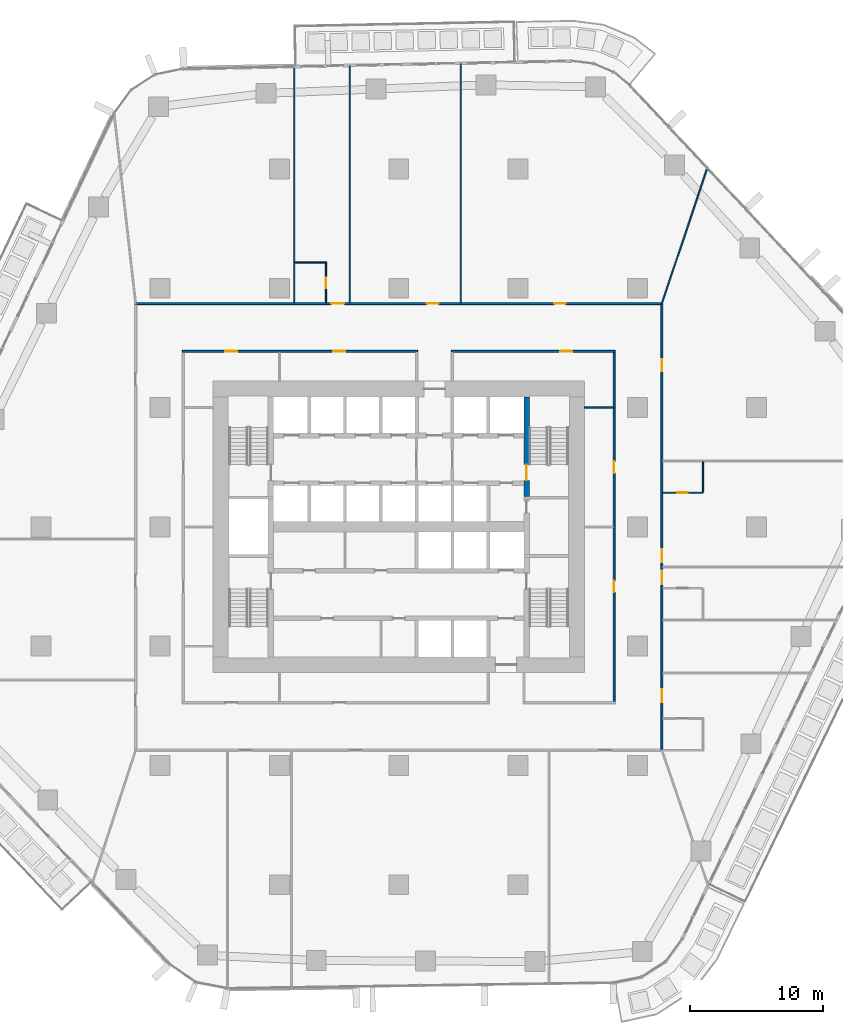
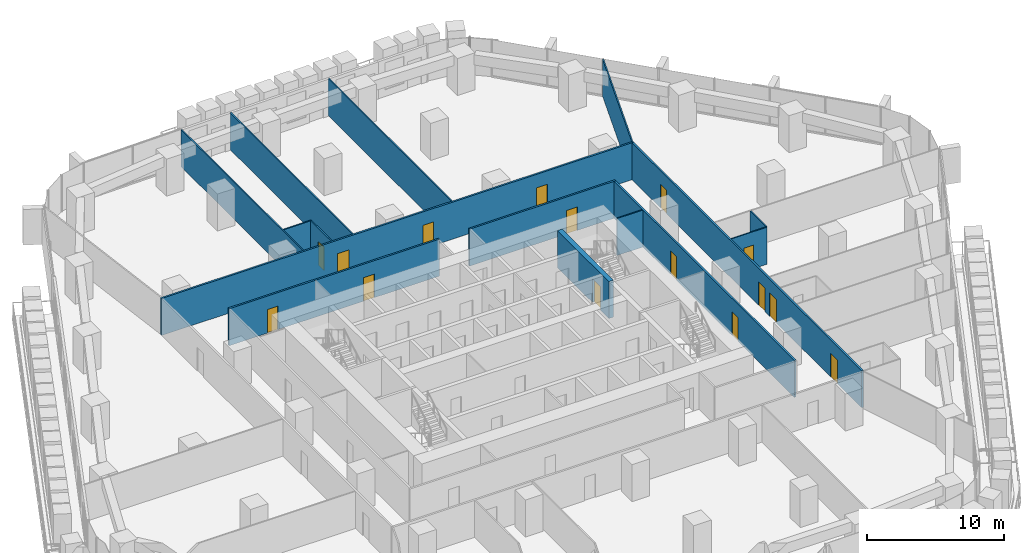
# One storey, part 15 of 24: 15 doors, 15 walls, 15 openings.
"""IFC4 building model written with IfcOpenShell, lengths in metres."""

from ifc_helpers import new_model, si_unit, direction, frame, frame_2d, origin, place, context, subcontext, project, spatial, rectangle, extrude, material, layer, layer_set, type_object, element, fill, save


model = new_model("IFC4")

# Units and contexts
model_context = context("Model", 3, precision=1e-05, world=origin(), true_north=direction((0.0, 1.0)))
body_context = subcontext(model_context, "Body", "Model", "MODEL_VIEW")
ifc_project = project(units=[si_unit("LENGTHUNIT", "METRE"), si_unit("AREAUNIT", "SQUARE_METRE"), si_unit("VOLUMEUNIT", "CUBIC_METRE"), si_unit("PLANEANGLEUNIT", "RADIAN"), si_unit("MASSUNIT", "GRAM", prefix="KILO")], contexts=[model_context])

# Site, building, storey
site_placement = place(None, origin())
site = spatial("IfcSite", under=ifc_project, at=site_placement, CompositionType="ELEMENT")
building_placement = place(site_placement, origin())
building = spatial("IfcBuilding", under=site, at=building_placement, Name="Dongbaek Canopy Tower", CompositionType="ELEMENT")
storey_placement = place(building_placement, frame((0.0, 0.0, 47.699951171875)))
storey = spatial("IfcBuildingStorey", under=building, at=storey_placement, Name="L07", CompositionType="ELEMENT", Elevation=47.699951171875)

# Wall, openings, doors
ifc_material_1 = material(Name="Gypsum board partition, steel stud, 2 x 15 mm fire board", Category="steel")
ifc_layer_1 = layer(ifc_material_1, 0.14990234375)
ifc_layer_set_1 = layer_set([ifc_layer_1], Name="Fire-rated partition 150 gypsum board")
wall_type_1 = type_object("IfcWallType", Name="Fire-rated partition 150 gypsum board", PredefinedType="PARTITIONING", material=ifc_layer_set_1)
wall_1_placement = place(storey_placement, frame((1.425048828125, 13.25, 0.0), z_axis=(0.0, 0.0, 1.0), x_axis=(-1.0, 0.0, 0.0)))
wall_1 = element("IfcWall", 1, at=wall_1_placement, inside=storey, type_object=wall_type_1, Name="Corridor partition", PredefinedType="PARTITIONING", context=body_context, shape_type="SweptSolid", body=[
    extrude(rectangle(XDim=17.75, YDim=0.14990234375, at=frame_2d((8.875, 0.0))), origin(), (0.0, 0.0, 1.0), 3.300048828125),
])
opening_1_placement = place(wall_1_placement, frame((5.47509765625, 0.0, 0.0)))
opening_1 = element("IfcOpeningElement", 2, at=opening_1_placement, cuts=wall_1, Name="Opening L07-D024", PredefinedType="OPENING", context=body_context, shape_type="SweptSolid", body=[
    extrude(rectangle(XDim=0.89990234375, YDim=2.10009765625, at=frame_2d((0.449951171875, 1.050048828125))), frame((0.0, 0.0849609375, 0.0), z_axis=(0.0, -1.0, 0.0), x_axis=(1.0, 0.0, 0.0)), (0.0, 0.0, 1.0), 0.169921875),
])
opening_2_placement = place(wall_1_placement, frame((13.60009765625, 0.0, 0.0)))
opening_2 = element("IfcOpeningElement", 3, at=opening_2_placement, cuts=wall_1, Name="Opening L07-D025", PredefinedType="OPENING", context=body_context, shape_type="SweptSolid", body=[
    extrude(rectangle(XDim=0.89990234375, YDim=2.10009765625, at=frame_2d((0.449951171875, 1.050048828125))), frame((0.0, 0.0849609375, 0.0), z_axis=(0.0, -1.0, 0.0), x_axis=(1.0, 0.0, 0.0)), (0.0, 0.0, 1.0), 0.169921875),
])
ifc_material_2 = material(Name="Timber veneered door leaf", Category="wood")
door_type_1 = type_object("IfcDoorType", Name="Room door 900 x 2100", OperationType="SINGLE_SWING_LEFT", PredefinedType="DOOR", material=ifc_material_2)
door_1_placement = place(opening_1_placement, origin())
door_1 = element("IfcDoor", 4, at=door_1_placement, inside=storey, type_object=door_type_1, Name="Door L07-D024", OperationType="SINGLE_SWING_RIGHT", OverallHeight=2.10009765625, OverallWidth=0.89990234375, PredefinedType="DOOR", context=body_context, shape_type="SweptSolid", body=[
    extrude(rectangle(XDim=0.89990234375, YDim=2.10009765625, at=frame_2d((0.449951171875, 1.050048828125))), frame((0.0, 0.02490234375, 0.0), z_axis=(0.0, -1.0, 0.0), x_axis=(1.0, 0.0, 0.0)), (0.0, 0.0, 1.0), 0.050048828125),
])
fill(opening_1, door_1)
door_2_placement = place(opening_2_placement, origin())
door_2 = element("IfcDoor", 5, at=door_2_placement, inside=storey, type_object=door_type_1, Name="Door L07-D025", OperationType="SINGLE_SWING_LEFT", OverallHeight=2.10009765625, OverallWidth=0.89990234375, PredefinedType="DOOR", context=body_context, shape_type="SweptSolid", body=[
    extrude(rectangle(XDim=0.89990234375, YDim=2.10009765625, at=frame_2d((0.449951171875, 1.050048828125))), frame((0.0, 0.02490234375, 0.0), z_axis=(0.0, -1.0, 0.0), x_axis=(1.0, 0.0, 0.0)), (0.0, 0.0, 1.0), 0.050048828125),
])
fill(opening_2, door_2)

# Wall, opening, door
wall_2_placement = place(storey_placement, frame((16.324951171875, 13.25, 0.0), z_axis=(0.0, 0.0, 1.0), x_axis=(-1.0, 0.0, 0.0)))
wall_2 = element("IfcWall", 6, at=wall_2_placement, inside=storey, type_object=wall_type_1, Name="Corridor partition", PredefinedType="PARTITIONING", context=body_context, shape_type="SweptSolid", body=[
    extrude(rectangle(XDim=12.349853515625, YDim=0.14990234375, at=frame_2d((6.1748046875, 0.0))), origin(), (0.0, 0.0, 1.0), 3.300048828125),
])
opening_3_placement = place(wall_2_placement, frame((3.25, 0.0, 0.0)))
opening_3 = element("IfcOpeningElement", 7, at=opening_3_placement, cuts=wall_2, Name="Opening L07-D023", PredefinedType="OPENING", context=body_context, shape_type="SweptSolid", body=[
    extrude(rectangle(XDim=0.89990234375, YDim=2.10009765625, at=frame_2d((0.449951171875, 1.050048828125))), frame((0.0, 0.0849609375, 0.0), z_axis=(0.0, -1.0, 0.0), x_axis=(1.0, 0.0, 0.0)), (0.0, 0.0, 1.0), 0.169921875),
])
door_3_placement = place(opening_3_placement, origin())
door_3 = element("IfcDoor", 8, at=door_3_placement, inside=storey, type_object=door_type_1, Name="Door L07-D023", OperationType="SINGLE_SWING_LEFT", OverallHeight=2.10009765625, OverallWidth=0.89990234375, PredefinedType="DOOR", context=body_context, shape_type="SweptSolid", body=[
    extrude(rectangle(XDim=0.89990234375, YDim=2.10009765625, at=frame_2d((0.449951171875, 1.050048828125))), frame((0.0, 0.02490234375, 0.0), z_axis=(0.0, -1.0, 0.0), x_axis=(1.0, 0.0, 0.0)), (0.0, 0.0, 1.0), 0.050048828125),
])
fill(opening_3, door_3)

# Wall, openings, doors
wall_3_placement = place(storey_placement, frame((-19.925048828125, 16.85009765625, 0.0), z_axis=(0.0, 0.0, 1.0), x_axis=(1.0, 0.0, 0.0)))
wall_3 = element("IfcWall", 9, at=wall_3_placement, inside=storey, type_object=wall_type_1, Name="Corridor partition", PredefinedType="PARTITIONING", context=body_context, shape_type="SweptSolid", body=[
    extrude(rectangle(XDim=39.85009765625, YDim=0.14990234375, at=frame_2d((19.925048828125, 0.0))), origin(), (0.0, 0.0, 1.0), 3.300048828125),
])
opening_4_placement = place(wall_3_placement, frame((31.642822265625, 0.0, 0.0)))
opening_4 = element("IfcOpeningElement", 10, at=opening_4_placement, cuts=wall_3, Name="Opening L07-D013", PredefinedType="OPENING", context=body_context, shape_type="SweptSolid", body=[
    extrude(rectangle(XDim=0.89990234375, YDim=2.10009765625, at=frame_2d((0.449951171875, 1.050048828125))), frame((0.0, 0.0849609375, 0.0), z_axis=(0.0, -1.0, 0.0), x_axis=(1.0, 0.0, 0.0)), (0.0, 0.0, 1.0), 0.169921875),
])
opening_5_placement = place(wall_3_placement, frame((22.0556640625, 0.0, 0.0)))
opening_5 = element("IfcOpeningElement", 11, at=opening_5_placement, cuts=wall_3, Name="Opening L07-D014", PredefinedType="OPENING", context=body_context, shape_type="SweptSolid", body=[
    extrude(rectangle(XDim=0.89990234375, YDim=2.10009765625, at=frame_2d((0.449951171875, 1.050048828125))), frame((0.0, 0.0849609375, 0.0), z_axis=(0.0, -1.0, 0.0), x_axis=(1.0, 0.0, 0.0)), (0.0, 0.0, 1.0), 0.169921875),
])
opening_6_placement = place(wall_3_placement, frame((14.8310546875, 0.0, 0.0)))
opening_6 = element("IfcOpeningElement", 12, at=opening_6_placement, cuts=wall_3, Name="Opening L07-D016", PredefinedType="OPENING", context=body_context, shape_type="SweptSolid", body=[
    extrude(rectangle(XDim=1.0, YDim=2.10009765625, at=frame_2d((0.5, 1.050048828125))), frame((0.0, 0.0849609375, 0.0), z_axis=(0.0, -1.0, 0.0), x_axis=(1.0, 0.0, 0.0)), (0.0, 0.0, 1.0), 0.169921875),
])
ifc_material_3 = material(Name="Timber veneered door leaf", Category="wood")
door_type_2 = type_object("IfcDoorType", Name="Guest room door 1000 x 2100", OperationType="SINGLE_SWING_LEFT", PredefinedType="DOOR", material=ifc_material_3)
door_4_placement = place(opening_6_placement, origin())
door_4 = element("IfcDoor", 13, at=door_4_placement, inside=storey, type_object=door_type_2, Name="Door L07-D016", OperationType="SINGLE_SWING_LEFT", OverallHeight=2.10009765625, OverallWidth=1.0, PredefinedType="DOOR", context=body_context, shape_type="SweptSolid", body=[
    extrude(rectangle(XDim=1.0, YDim=2.10009765625, at=frame_2d((0.5, 1.050048828125))), frame((0.0, 0.02490234375, 0.0), z_axis=(0.0, -1.0, 0.0), x_axis=(1.0, 0.0, 0.0)), (0.0, 0.0, 1.0), 0.050048828125),
])
fill(opening_6, door_4)
door_5_placement = place(opening_4_placement, origin())
door_5 = element("IfcDoor", 14, at=door_5_placement, inside=storey, type_object=door_type_1, Name="Door L07-D013", OperationType="SINGLE_SWING_LEFT", OverallHeight=2.10009765625, OverallWidth=0.89990234375, PredefinedType="DOOR", context=body_context, shape_type="SweptSolid", body=[
    extrude(rectangle(XDim=0.89990234375, YDim=2.10009765625, at=frame_2d((0.449951171875, 1.050048828125))), frame((0.0, 0.02490234375, 0.0), z_axis=(0.0, -1.0, 0.0), x_axis=(1.0, 0.0, 0.0)), (0.0, 0.0, 1.0), 0.050048828125),
])
fill(opening_4, door_5)
door_6_placement = place(opening_5_placement, origin())
door_6 = element("IfcDoor", 15, at=door_6_placement, inside=storey, type_object=door_type_1, Name="Door L07-D014", OperationType="SINGLE_SWING_RIGHT", OverallHeight=2.10009765625, OverallWidth=0.89990234375, PredefinedType="DOOR", context=body_context, shape_type="SweptSolid", body=[
    extrude(rectangle(XDim=0.89990234375, YDim=2.10009765625, at=frame_2d((0.449951171875, 1.050048828125))), frame((0.0, 0.02490234375, 0.0), z_axis=(0.0, -1.0, 0.0), x_axis=(1.0, 0.0, 0.0)), (0.0, 0.0, 1.0), 0.050048828125),
])
fill(opening_5, door_6)

wall_4_placement = place(storey_placement, frame((19.85009765625, 16.77490234375, 0.0), z_axis=(0.0, 0.0, 1.0), x_axis=(0.0, -1.0, 0.0)))
wall_4 = element("IfcWall", 16, at=wall_4_placement, inside=storey, type_object=wall_type_1, Name="Corridor partition", PredefinedType="PARTITIONING", context=body_context, shape_type="SweptSolid", body=[
    extrude(rectangle(XDim=33.5498046875, YDim=0.14990234375, at=frame_2d((16.77490234375, 0.0))), origin(), (0.0, 0.0, 1.0), 3.300048828125),
])
opening_7_placement = place(wall_4_placement, frame((29.01611328125, 0.0, 0.0)))
opening_7 = element("IfcOpeningElement", 17, at=opening_7_placement, cuts=wall_4, Name="Opening L07-D007", PredefinedType="OPENING", context=body_context, shape_type="SweptSolid", body=[
    extrude(rectangle(XDim=1.0, YDim=2.10009765625, at=frame_2d((0.5, 1.050048828125))), frame((0.0, 0.0849609375, 0.0), z_axis=(0.0, -1.0, 0.0), x_axis=(1.0, 0.0, 0.0)), (0.0, 0.0, 1.0), 0.169921875),
])
opening_8_placement = place(wall_4_placement, frame((20.100341796875, 0.0, 0.0)))
opening_8 = element("IfcOpeningElement", 18, at=opening_8_placement, cuts=wall_4, Name="Opening L07-D009", PredefinedType="OPENING", context=body_context, shape_type="SweptSolid", body=[
    extrude(rectangle(XDim=1.0, YDim=2.10009765625, at=frame_2d((0.5, 1.050048828125))), frame((0.0, 0.0849609375, 0.0), z_axis=(0.0, -1.0, 0.0), x_axis=(1.0, 0.0, 0.0)), (0.0, 0.0, 1.0), 0.169921875),
])
opening_9_placement = place(wall_4_placement, frame((18.445556640625, 0.0, 0.0)))
opening_9 = element("IfcOpeningElement", 19, at=opening_9_placement, cuts=wall_4, Name="Opening L07-D011", PredefinedType="OPENING", context=body_context, shape_type="SweptSolid", body=[
    extrude(rectangle(XDim=1.0, YDim=2.10009765625, at=frame_2d((0.5, 1.050048828125))), frame((0.0, 0.0849609375, 0.0), z_axis=(0.0, -1.0, 0.0), x_axis=(1.0, 0.0, 0.0)), (0.0, 0.0, 1.0), 0.169921875),
])
opening_10_placement = place(wall_4_placement, frame((4.142822265625, 0.0, 0.0)))
opening_10 = element("IfcOpeningElement", 20, at=opening_10_placement, cuts=wall_4, Name="Opening L07-D012", PredefinedType="OPENING", context=body_context, shape_type="SweptSolid", body=[
    extrude(rectangle(XDim=0.89990234375, YDim=2.10009765625, at=frame_2d((0.449951171875, 1.050048828125))), frame((0.0, 0.0849609375, 0.0), z_axis=(0.0, -1.0, 0.0), x_axis=(1.0, 0.0, 0.0)), (0.0, 0.0, 1.0), 0.169921875),
])
door_7_placement = place(opening_7_placement, origin())
door_7 = element("IfcDoor", 21, at=door_7_placement, inside=storey, type_object=door_type_2, Name="Door L07-D007", OperationType="SINGLE_SWING_RIGHT", OverallHeight=2.10009765625, OverallWidth=1.0, PredefinedType="DOOR", context=body_context, shape_type="SweptSolid", body=[
    extrude(rectangle(XDim=1.0, YDim=2.10009765625, at=frame_2d((0.5, 1.050048828125))), frame((0.0, 0.02490234375, 0.0), z_axis=(0.0, -1.0, 0.0), x_axis=(1.0, 0.0, 0.0)), (0.0, 0.0, 1.0), 0.050048828125),
])
fill(opening_7, door_7)
door_8_placement = place(opening_8_placement, origin())
door_8 = element("IfcDoor", 22, at=door_8_placement, inside=storey, type_object=door_type_2, Name="Door L07-D009", OperationType="SINGLE_SWING_RIGHT", OverallHeight=2.10009765625, OverallWidth=1.0, PredefinedType="DOOR", context=body_context, shape_type="SweptSolid", body=[
    extrude(rectangle(XDim=1.0, YDim=2.10009765625, at=frame_2d((0.5, 1.050048828125))), frame((0.0, 0.02490234375, 0.0), z_axis=(0.0, -1.0, 0.0), x_axis=(1.0, 0.0, 0.0)), (0.0, 0.0, 1.0), 0.050048828125),
])
fill(opening_8, door_8)
door_9_placement = place(opening_9_placement, origin())
door_9 = element("IfcDoor", 23, at=door_9_placement, inside=storey, type_object=door_type_2, Name="Door L07-D011", OperationType="SINGLE_SWING_LEFT", OverallHeight=2.10009765625, OverallWidth=1.0, PredefinedType="DOOR", context=body_context, shape_type="SweptSolid", body=[
    extrude(rectangle(XDim=1.0, YDim=2.10009765625, at=frame_2d((0.5, 1.050048828125))), frame((0.0, 0.02490234375, 0.0), z_axis=(0.0, -1.0, 0.0), x_axis=(1.0, 0.0, 0.0)), (0.0, 0.0, 1.0), 0.050048828125),
])
fill(opening_9, door_9)
door_10_placement = place(opening_10_placement, origin())
door_10 = element("IfcDoor", 24, at=door_10_placement, inside=storey, type_object=door_type_1, Name="Door L07-D012", OperationType="SINGLE_SWING_RIGHT", OverallHeight=2.10009765625, OverallWidth=0.89990234375, PredefinedType="DOOR", context=body_context, shape_type="SweptSolid", body=[
    extrude(rectangle(XDim=0.89990234375, YDim=2.10009765625, at=frame_2d((0.449951171875, 1.050048828125))), frame((0.0, 0.02490234375, 0.0), z_axis=(0.0, -1.0, 0.0), x_axis=(1.0, 0.0, 0.0)), (0.0, 0.0, 1.0), 0.050048828125),
])
fill(opening_10, door_10)

wall_5_placement = place(storey_placement, frame((16.25, -13.175048828125, 0.0), z_axis=(0.0, 0.0, 1.0), x_axis=(0.0, 1.0, 0.0)))
wall_5 = element("IfcWall", 25, at=wall_5_placement, inside=storey, type_object=wall_type_1, Name="Corridor partition", PredefinedType="PARTITIONING", context=body_context, shape_type="SweptSolid", body=[
    extrude(rectangle(XDim=26.35009765625, YDim=0.14990234375, at=frame_2d((13.175048828125, 0.0))), origin(), (0.0, 0.0, 1.0), 3.300048828125),
])
opening_11_placement = place(wall_5_placement, frame((8.22509765625, 0.0, 0.0)))
opening_11 = element("IfcOpeningElement", 26, at=opening_11_placement, cuts=wall_5, Name="Opening L07-D021", PredefinedType="OPENING", context=body_context, shape_type="SweptSolid", body=[
    extrude(rectangle(XDim=0.89990234375, YDim=2.10009765625, at=frame_2d((0.449951171875, 1.050048828125))), frame((0.0, 0.0849609375, 0.0), z_axis=(0.0, -1.0, 0.0), x_axis=(1.0, 0.0, 0.0)), (0.0, 0.0, 1.0), 0.169921875),
])
opening_12_placement = place(wall_5_placement, frame((17.22509765625, 0.0, 0.0)))
opening_12 = element("IfcOpeningElement", 27, at=opening_12_placement, cuts=wall_5, Name="Opening L07-D022", PredefinedType="OPENING", context=body_context, shape_type="SweptSolid", body=[
    extrude(rectangle(XDim=0.89990234375, YDim=2.10009765625, at=frame_2d((0.449951171875, 1.050048828125))), frame((0.0, 0.0849609375, 0.0), z_axis=(0.0, -1.0, 0.0), x_axis=(1.0, 0.0, 0.0)), (0.0, 0.0, 1.0), 0.169921875),
])
door_11_placement = place(opening_11_placement, origin())
door_11 = element("IfcDoor", 28, at=door_11_placement, inside=storey, type_object=door_type_1, Name="Door L07-D021", OperationType="SINGLE_SWING_LEFT", OverallHeight=2.10009765625, OverallWidth=0.89990234375, PredefinedType="DOOR", context=body_context, shape_type="SweptSolid", body=[
    extrude(rectangle(XDim=0.89990234375, YDim=2.10009765625, at=frame_2d((0.449951171875, 1.050048828125))), frame((0.0, 0.02490234375, 0.0), z_axis=(0.0, -1.0, 0.0), x_axis=(1.0, 0.0, 0.0)), (0.0, 0.0, 1.0), 0.050048828125),
])
fill(opening_11, door_11)
door_12_placement = place(opening_12_placement, origin())
door_12 = element("IfcDoor", 29, at=door_12_placement, inside=storey, type_object=door_type_1, Name="Door L07-D022", OperationType="SINGLE_SWING_RIGHT", OverallHeight=2.10009765625, OverallWidth=0.89990234375, PredefinedType="DOOR", context=body_context, shape_type="SweptSolid", body=[
    extrude(rectangle(XDim=0.89990234375, YDim=2.10009765625, at=frame_2d((0.449951171875, 1.050048828125))), frame((0.0, 0.02490234375, 0.0), z_axis=(0.0, -1.0, 0.0), x_axis=(1.0, 0.0, 0.0)), (0.0, 0.0, 1.0), 0.050048828125),
])
fill(opening_12, door_12)

# Wall, opening, door
ifc_material_4 = material(Name="Gypsum board partition, steel stud, 2 x 12.5 mm board", Category="steel")
ifc_layer_2 = layer(ifc_material_4, 0.10009765625)
ifc_layer_set_2 = layer_set([ifc_layer_2], Name="Partition 100 gypsum board")
wall_type_2 = type_object("IfcWallType", Name="Partition 100 gypsum board", PredefinedType="PARTITIONING", material=ifc_layer_set_2)
wall_6_placement = place(storey_placement, frame((19.925048828125, 2.576904296875, 0.0), z_axis=(0.0, 0.0, 1.0), x_axis=(1.0, 0.0, 0.0)))
wall_6 = element("IfcWall", 30, at=wall_6_placement, inside=storey, type_object=wall_type_2, Name="Partition", PredefinedType="PARTITIONING", context=body_context, shape_type="SweptSolid", body=[
    extrude(rectangle(XDim=3.02490234375, YDim=0.10009765625, at=frame_2d((1.512451171875, 0.0))), origin(), (0.0, 0.0, 1.0), 3.300048828125),
])
opening_13_placement = place(wall_6_placement, frame((1.074951171875, 0.0, 0.0)))
opening_13 = element("IfcOpeningElement", 31, at=opening_13_placement, cuts=wall_6, Name="Opening L07-D010", PredefinedType="OPENING", context=body_context, shape_type="SweptSolid", body=[
    extrude(rectangle(XDim=0.800048828125, YDim=2.10009765625, at=frame_2d((0.39990234375, 1.050048828125))), frame((0.0, 0.06005859375, 0.0), z_axis=(0.0, -1.0, 0.0), x_axis=(1.0, 0.0, 0.0)), (0.0, 0.0, 1.0), 0.1201171875),
])
ifc_material_5 = material(Name="Timber veneered door leaf", Category="wood")
door_type_3 = type_object("IfcDoorType", Name="En-suite door 800 x 2100", OperationType="SINGLE_SWING_LEFT", PredefinedType="DOOR", material=ifc_material_5)
door_13_placement = place(opening_13_placement, origin())
door_13 = element("IfcDoor", 32, at=door_13_placement, inside=storey, type_object=door_type_3, Name="Door L07-D010", OperationType="SINGLE_SWING_RIGHT", OverallHeight=2.10009765625, OverallWidth=0.800048828125, PredefinedType="DOOR", context=body_context, shape_type="SweptSolid", body=[
    extrude(rectangle(XDim=0.800048828125, YDim=2.10009765625, at=frame_2d((0.39990234375, 1.050048828125))), frame((0.0, 0.02490234375, 0.0), z_axis=(0.0, -1.0, 0.0), x_axis=(1.0, 0.0, 0.0)), (0.0, 0.0, 1.0), 0.050048828125),
])
fill(opening_13, door_13)

# Walls
wall_7_placement = place(storey_placement, frame((14.0, 9.0, 0.0), z_axis=(0.0, 0.0, 1.0), x_axis=(1.0, 0.0, 0.0)))
element("IfcWall", 33, at=wall_7_placement, inside=storey, type_object=wall_type_2, Name="Partition", PredefinedType="PARTITIONING", context=body_context, shape_type="SweptSolid", body=[
    extrude(rectangle(XDim=2.175048828125, YDim=0.10009765625, at=frame_2d((1.08740234375, 0.0))), origin(), (0.0, 0.0, 1.0), 3.300048828125),
])
wall_8_placement = place(storey_placement, frame((-7.837646484375, 19.949951171875, 0.0), z_axis=(0.0, 0.0, 1.0), x_axis=(1.0, 0.0, 0.0)))
element("IfcWall", 34, at=wall_8_placement, inside=storey, type_object=wall_type_2, Name="Partition", PredefinedType="PARTITIONING", context=body_context, shape_type="SweptSolid", body=[
    extrude(rectangle(XDim=2.400146484375, YDim=0.10009765625, at=frame_2d((1.2001953125, 0.0))), origin(), (0.0, 0.0, 1.0), 3.300048828125),
])
wall_9_placement = place(storey_placement, frame((19.849853515625, 16.85009765625, 0.0), z_axis=(0.0, 0.0, 1.0), x_axis=(0.317967659794, 0.948101559605, 0.0)))
element("IfcWall", 35, at=wall_9_placement, inside=storey, type_object=wall_type_2, Name="Partition", PredefinedType="PARTITIONING", context=body_context, shape_type="SweptSolid", body=[
    extrude(rectangle(XDim=10.773193359375, YDim=0.10009765625, at=frame_2d((5.38671875, 0.0))), origin(), (0.0, 0.0, 1.0), 3.300048828125),
])
wall_10_placement = place(storey_placement, frame((22.949951171875, 2.627197265625, 0.0), z_axis=(0.0, 0.0, 1.0), x_axis=(0.0, 1.0, 0.0)))
element("IfcWall", 36, at=wall_10_placement, inside=storey, type_object=wall_type_2, Name="Partition", PredefinedType="PARTITIONING", context=body_context, shape_type="SweptSolid", body=[
    extrude(rectangle(XDim=2.2998046875, YDim=0.10009765625, at=frame_2d((1.14990234375, 0.0))), origin(), (0.0, 0.0, 1.0), 3.300048828125),
])
wall_11_placement = place(storey_placement, frame((4.674072265625, 16.925048828125, 0.0), z_axis=(0.0, 0.0, 1.0), x_axis=(0.0, 1.0, 0.0)))
element("IfcWall", 37, at=wall_11_placement, inside=storey, type_object=wall_type_2, Name="Partition", PredefinedType="PARTITIONING", context=body_context, shape_type="SweptSolid", body=[
    extrude(rectangle(XDim=18.0341796875, YDim=0.10009765625, at=frame_2d((9.01708984375, 0.0))), origin(), (0.0, 0.0, 1.0), 3.300048828125),
])
wall_12_placement = place(storey_placement, frame((-3.699951171875, 16.925048828125, 0.0), z_axis=(0.0, 0.0, 1.0), x_axis=(0.0, 1.0, 0.0)))
element("IfcWall", 38, at=wall_12_placement, inside=storey, type_object=wall_type_2, Name="Partition", PredefinedType="PARTITIONING", context=body_context, shape_type="SweptSolid", body=[
    extrude(rectangle(XDim=17.867431640625, YDim=0.10009765625, at=frame_2d((8.93359375, 0.0))), origin(), (0.0, 0.0, 1.0), 3.300048828125),
])

# Wall, opening, door
wall_13_placement = place(storey_placement, frame((-5.488037109375, 16.925048828125, 0.0), z_axis=(0.0, 0.0, 1.0), x_axis=(0.0, 1.0, 0.0)))
wall_13 = element("IfcWall", 39, at=wall_13_placement, inside=storey, type_object=wall_type_2, Name="Partition", PredefinedType="PARTITIONING", context=body_context, shape_type="SweptSolid", body=[
    extrude(rectangle(XDim=2.974853515625, YDim=0.10009765625, at=frame_2d((1.4873046875, 0.0))), origin(), (0.0, 0.0, 1.0), 3.300048828125),
])
opening_14_placement = place(wall_13_placement, frame((1.074951171875, 0.0, 0.0)))
opening_14 = element("IfcOpeningElement", 40, at=opening_14_placement, cuts=wall_13, Name="Opening L07-D015", PredefinedType="OPENING", context=body_context, shape_type="SweptSolid", body=[
    extrude(rectangle(XDim=0.800048828125, YDim=2.10009765625, at=frame_2d((0.39990234375, 1.050048828125))), frame((0.0, 0.06005859375, 0.0), z_axis=(0.0, -1.0, 0.0), x_axis=(1.0, 0.0, 0.0)), (0.0, 0.0, 1.0), 0.1201171875),
])
door_14_placement = place(opening_14_placement, origin())
door_14 = element("IfcDoor", 41, at=door_14_placement, inside=storey, type_object=door_type_3, Name="Door L07-D015", OperationType="SINGLE_SWING_RIGHT", OverallHeight=2.10009765625, OverallWidth=0.800048828125, PredefinedType="DOOR", context=body_context, shape_type="SweptSolid", body=[
    extrude(rectangle(XDim=0.800048828125, YDim=2.10009765625, at=frame_2d((0.39990234375, 1.050048828125))), frame((0.0, 0.02490234375, 0.0), z_axis=(0.0, -1.0, 0.0), x_axis=(1.0, 0.0, 0.0)), (0.0, 0.0, 1.0), 0.050048828125),
])
fill(opening_14, door_14)

# Wall
wall_14_placement = place(storey_placement, frame((-7.887939453125, 16.925048828125, 0.0), z_axis=(0.0, 0.0, 1.0), x_axis=(0.0, 1.0, 0.0)))
element("IfcWall", 42, at=wall_14_placement, inside=storey, type_object=wall_type_2, Name="Partition", PredefinedType="PARTITIONING", context=body_context, shape_type="SweptSolid", body=[
    extrude(rectangle(XDim=17.783935546875, YDim=0.10009765625, at=frame_2d((8.89208984375, 0.0))), origin(), (0.0, 0.0, 1.0), 3.300048828125),
])

# Wall, opening, door
ifc_material_6 = material(Name="Concrete C60/75", Category="concrete")
ifc_layer_3 = layer(ifc_material_6, 0.39990234375)
ifc_layer_set_3 = layer_set([ifc_layer_3], Name="Stair wall 400 Concrete C60/75")
wall_type_3 = type_object("IfcWallType", Name="Stair wall 400 Concrete C60/75", PredefinedType="SHEAR", material=ifc_layer_set_3)
wall_15_placement = place(storey_placement, frame((9.64990234375, 9.800048828125, 0.0), z_axis=(0.0, 0.0, 1.0), x_axis=(0.0, -1.0, 0.0)))
wall_15 = element("IfcWall", 43, at=wall_15_placement, inside=storey, type_object=wall_type_3, Name="Stair wall", PredefinedType="SHEAR", context=body_context, shape_type="SweptSolid", body=[
    extrude(rectangle(XDim=7.5, YDim=0.39990234375, at=frame_2d((3.75, 0.0))), origin(), (0.0, 0.0, 1.0), 3.300048828125),
])
opening_15_placement = place(wall_15_placement, frame((5.10009765625, 0.0, 0.0)))
opening_15 = element("IfcOpeningElement", 44, at=opening_15_placement, cuts=wall_15, Name="Opening L07-D050", PredefinedType="OPENING", context=body_context, shape_type="SweptSolid", body=[
    extrude(rectangle(XDim=1.199951171875, YDim=2.10009765625, at=frame_2d((0.60009765625, 1.050048828125))), frame((0.0, 0.2099609375, 0.0), z_axis=(0.0, -1.0, 0.0), x_axis=(1.0, 0.0, 0.0)), (0.0, 0.0, 1.0), 0.419921875),
])
ifc_material_7 = material(Name="Steel", Category="steel")
door_type_4 = type_object("IfcDoorType", Name="Stair door 1200 x 2100", OperationType="SINGLE_SWING_LEFT", PredefinedType="DOOR", material=ifc_material_7)
door_15_placement = place(opening_15_placement, origin())
door_15 = element("IfcDoor", 45, at=door_15_placement, inside=storey, type_object=door_type_4, Name="Stair A door", OperationType="SINGLE_SWING_LEFT", OverallHeight=2.10009765625, OverallWidth=1.199951171875, PredefinedType="DOOR", context=body_context, shape_type="SweptSolid", body=[
    extrude(rectangle(XDim=1.199951171875, YDim=2.10009765625, at=frame_2d((0.60009765625, 1.050048828125))), frame((0.0, 0.02490234375, 0.0), z_axis=(0.0, -1.0, 0.0), x_axis=(1.0, 0.0, 0.0)), (0.0, 0.0, 1.0), 0.050048828125),
])
fill(opening_15, door_15)

save(model, "model.ifc")
